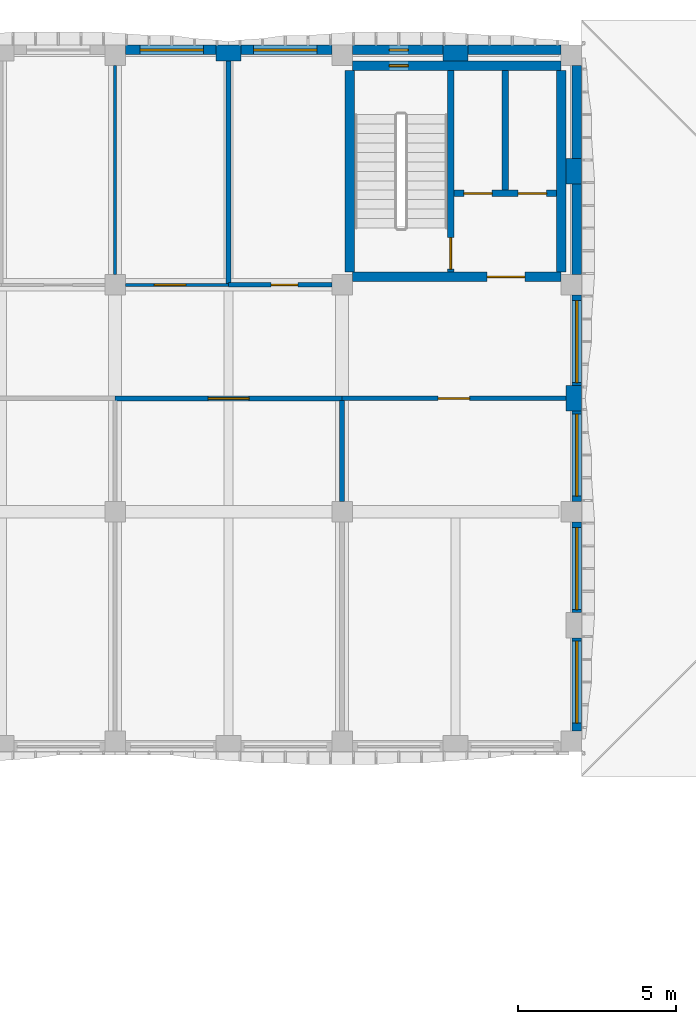
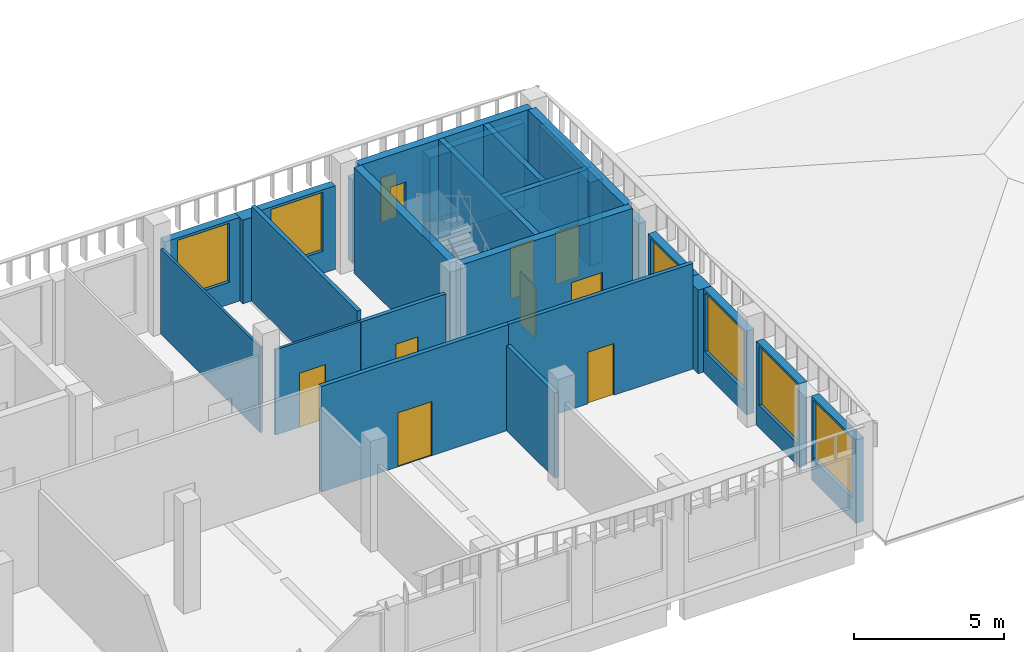
# One storey, part 28 of 54: 28 walls, 8 doors, 8 windows, 16 openings.
"""IFC4 building model written with IfcOpenShell, lengths in metres."""

import ifcopenshell
import ifcopenshell.guid

model = None  # the IFC model being written
_history = None  # IfcOwnerHistory: only IFC2X3 demands one
_inside = {}  # id of a spatial element -> (the spatial element, [elements in it])
_under = {}  # id of a project, library or spatial element -> (it, [spatial elements below it])
_declared = {}  # id of a project -> (the project, [libraries it declares])
_typed = {}  # id of a type object -> (the type object, [elements of that type])
_made_of = {}  # id of a material, layer set ... -> (it, [elements and type objects made of it])


def new_model(schema):
    """Start an empty IFC model of exactly this schema.

    Asked for "IFC4X3", IfcOpenShell would pick the latest addendum, in which some entities
    have other attributes; the version numbers below select the first issue.
    IFC2X3 requires an IfcOwnerHistory on every rooted entity: one is made here for all.
    """
    global model, _history
    if schema == "IFC4X3":
        model = ifcopenshell.file(schema_version=(4, 3, 0, 0))
    else:
        model = ifcopenshell.file(schema=schema)
    _inside.clear()
    _under.clear()
    _declared.clear()
    _typed.clear()
    _made_of.clear()
    _history = None
    if model.schema == "IFC2X3":
        org = make("IfcOrganization", Name="unknown")
        user = make(
            "IfcPersonAndOrganization",
            ThePerson=make("IfcPerson", FamilyName="unknown"),
            TheOrganization=org,
        )
        app = make(
            "IfcApplication",
            ApplicationDeveloper=org,
            Version="unknown",
            ApplicationFullName="unknown",
            ApplicationIdentifier="unknown",
        )
        _history = make(
            "IfcOwnerHistory",
            OwningUser=user,
            OwningApplication=app,
            ChangeAction="ADDED",
            CreationDate=0,
        )
    return model


def make(cls, **values):
    """One entity of the class cls with the attributes given. An attribute that is None is left unset."""
    return model.create_entity(
        cls, **{name: value for name, value in values.items() if value is not None}
    )


def rooted(cls, **values):
    """An entity with a GlobalId (a new one), such as an element, a storey or a relation."""
    return make(cls, GlobalId=ifcopenshell.guid.new(), OwnerHistory=_history, **values)


def si_unit(unit_type, name, prefix=None):
    """IfcSIUnit, for example si_unit("LENGTHUNIT", "METRE", prefix="MILLI")."""
    return make("IfcSIUnit", UnitType=unit_type, Prefix=prefix, Name=name)


def assignment(units):
    """IfcUnitAssignment: the units of a project."""
    return None if units is None else make("IfcUnitAssignment", Units=units)


def point(xyz):
    """IfcCartesianPoint."""
    return None if xyz is None else make("IfcCartesianPoint", Coordinates=xyz)


def direction(xyz):
    """IfcDirection."""
    return None if xyz is None else make("IfcDirection", DirectionRatios=xyz)


def frame(location, z_axis=None, x_axis=None):
    """IfcAxis2Placement3D, a coordinate frame: its origin and axes. An axis left out is left unset."""
    return make(
        "IfcAxis2Placement3D",
        Location=point(location),
        Axis=direction(z_axis),
        RefDirection=direction(x_axis),
    )


def frame_2d(location, x_axis=None):
    """IfcAxis2Placement2D, a coordinate frame in the plane: its origin and x axis."""
    return make(
        "IfcAxis2Placement2D", Location=point(location), RefDirection=direction(x_axis)
    )


def origin():
    """The frame at (0, 0, 0) with its axes left unset."""
    return frame((0.0, 0.0, 0.0))


def place(relative_to, where):
    """IfcLocalPlacement: puts the frame where relative to a parent placement (None: the world)."""
    return make(
        "IfcLocalPlacement", PlacementRelTo=relative_to, RelativePlacement=where
    )


def context(
    kind, dimensions, precision=None, world=None, true_north=None, identifier=None
):
    """IfcGeometricRepresentationContext, for example the 3D "Model" context."""
    return make(
        "IfcGeometricRepresentationContext",
        ContextIdentifier=identifier,
        ContextType=kind,
        CoordinateSpaceDimension=dimensions,
        Precision=precision,
        WorldCoordinateSystem=world,
        TrueNorth=true_north,
    )


def subcontext(parent, identifier, kind, view, scale=None):
    """IfcGeometricRepresentationSubContext, for example "Body" below "Model"."""
    return make(
        "IfcGeometricRepresentationSubContext",
        ContextIdentifier=identifier,
        ContextType=kind,
        ParentContext=parent,
        TargetScale=scale,
        TargetView=view,
    )


def project(units=None, contexts=None):
    """IfcProject with its units and contexts."""
    return rooted(
        "IfcProject",
        Name="project",
        RepresentationContexts=contexts,
        UnitsInContext=assignment(units),
    )


def spatial(cls, under=None, at=None, **own):
    """A site, building, storey or space (cls), placed at a placement, below another one or the project."""
    s = rooted(cls, ObjectPlacement=at, **own)
    if under is not None:
        _under.setdefault(under.id(), (under, []))[1].append(s)
    return s


def profile(cls, at=None, kind="AREA", **sizes):
    """A parametric profile (cls). Its sizes go by their IFC names, for example OverallWidth=200.0."""
    return make(cls, ProfileType=kind, Position=at, **sizes)


def rectangle(**sizes):
    """IfcRectangleProfileDef."""
    return profile("IfcRectangleProfileDef", **sizes)


def extrude(swept, where, along, depth):
    """IfcExtrudedAreaSolid: the profile swept, set in the frame where, extruded along a direction by depth."""
    return make(
        "IfcExtrudedAreaSolid",
        SweptArea=swept,
        Position=where,
        ExtrudedDirection=direction(along),
        Depth=depth,
    )


def shape(context_of_items, identifier, shape_type, items):
    """IfcShapeRepresentation: the items that make up one representation, for example the "Body"."""
    return make(
        "IfcShapeRepresentation",
        ContextOfItems=context_of_items,
        RepresentationIdentifier=identifier,
        RepresentationType=shape_type,
        Items=items,
    )


def material(Name=None, Category=None):
    """IfcMaterial."""
    return make("IfcMaterial", Name=Name, Category=Category)


def layer(
    of_material, thickness, ventilated=None, Name=None, Category=None, Priority=None
):
    """IfcMaterialLayer: one layer of a wall or slab, of a material (None: an air gap)."""
    return make(
        "IfcMaterialLayer",
        Material=of_material,
        LayerThickness=thickness,
        IsVentilated=ventilated,
        Name=Name,
        Category=Category,
        Priority=Priority,
    )


def layer_set(layers, Name=None):
    """IfcMaterialLayerSet."""
    return make("IfcMaterialLayerSet", MaterialLayers=layers, LayerSetName=Name)


def made_of(thing, what):
    """Note that an element or type object is made of a material, layer set ...; save() writes the relation."""
    if what is not None:
        _made_of.setdefault(what.id(), (what, []))[1].append(thing)
    return thing


def type_object(cls, material=None, **own):
    """A type object (cls), such as IfcWallType, which elements share."""
    return made_of(rooted(cls, **own), material)


def element(
    cls,
    number,
    at=None,
    inside=None,
    cuts=None,
    type_object=None,
    material=None,
    context=None,
    identifier="Body",
    shape_type=None,
    held_by="IfcProductDefinitionShape",
    body=None,
    shapes=None,
    **own,
):
    """One element of the class cls, such as IfcWall. Its Tag is "e" and its number.

    at: its placement. inside: the storey or other place that contains it. cuts: it is an
    opening in that element (IfcRelVoidsElement). A single representation is given by context,
    identifier, shape_type and body (its items); several are given by shapes. held_by: the class
    of the entity that holds the representations. save() writes the other relations.
    """
    e = rooted(cls, Tag="e%d" % number, ObjectPlacement=at, **own)
    if body is not None:
        shapes = [shape(context, identifier, shape_type, body)]
    if shapes is not None:
        e.Representation = make(held_by, Representations=shapes)
    if inside is not None:
        _inside.setdefault(inside.id(), (inside, []))[1].append(e)
    if cuts is not None:
        rooted(
            "IfcRelVoidsElement", RelatingBuildingElement=cuts, RelatedOpeningElement=e
        )
    if type_object is not None:
        _typed.setdefault(type_object.id(), (type_object, []))[1].append(e)
    return made_of(e, material)


def fill(opening, filler):
    """IfcRelFillsElement: the door or window that sits in an opening."""
    return rooted(
        "IfcRelFillsElement",
        RelatingOpeningElement=opening,
        RelatedBuildingElement=filler,
    )


def aggregate(whole, parts):
    """IfcRelAggregates: a whole, such as a stair, and the parts it consists of."""
    return rooted("IfcRelAggregates", RelatingObject=whole, RelatedObjects=parts)


def save(model, path):
    """Write the relations noted so far, then the file.

    IfcRelAggregates (storeys below a building ...), IfcRelContainedInSpatialStructure (elements
    in a storey), IfcRelDefinesByType, IfcRelAssociatesMaterial and IfcRelDeclares: one each for
    every whole, place, type object, material and project.
    """
    for whole, parts in _under.values():
        aggregate(whole, parts)
    for where, things in _inside.values():
        rooted(
            "IfcRelContainedInSpatialStructure",
            RelatedElements=things,
            RelatingStructure=where,
        )
    for kind, things in _typed.values():
        rooted("IfcRelDefinesByType", RelatedObjects=things, RelatingType=kind)
    for what, things in _made_of.values():
        rooted("IfcRelAssociatesMaterial", RelatedObjects=things, RelatingMaterial=what)
    for by, libraries in _declared.values():
        rooted("IfcRelDeclares", RelatingContext=by, RelatedDefinitions=libraries)
    model.write(path)


model = new_model("IFC4")

# Units and contexts
model_context = context("Model", 3, precision=1e-05, world=origin(), true_north=direction((0.0, 1.0)))
body_context = subcontext(model_context, "Body", "Model", "MODEL_VIEW")
ifc_project = project(units=[si_unit("LENGTHUNIT", "METRE"), si_unit("AREAUNIT", "SQUARE_METRE"), si_unit("VOLUMEUNIT", "CUBIC_METRE"), si_unit("PLANEANGLEUNIT", "RADIAN"), si_unit("MASSUNIT", "GRAM", prefix="KILO")], contexts=[model_context])

# Site, building, storey
site_placement = place(None, origin())
site = spatial("IfcSite", under=ifc_project, at=site_placement, CompositionType="ELEMENT")
building_placement = place(site_placement, origin())
building = spatial("IfcBuilding", under=site, at=building_placement, Name="Ussher Court Research Institute", CompositionType="ELEMENT")
storey_placement = place(building_placement, frame((0.0, 0.0, 14.39990234375)))
storey = spatial("IfcBuildingStorey", under=building, at=storey_placement, Name="L03", CompositionType="ELEMENT", Elevation=14.39990234375)

# Wall, opening, window
ifc_material_1 = material(Name="Blockwork with cream render", Category="masonry")
ifc_layer_1 = layer(ifc_material_1, 0.300048828125)
ifc_layer_set_1 = layer_set([ifc_layer_1], Name="Blockwork with cream render")
wall_type_1 = type_object("IfcWallType", Name="External wall 300 cream render", PredefinedType="SOLIDWALL", material=ifc_layer_set_1)
wall_1_placement = place(storey_placement, frame((68.125, 90.64990234375, 0.0), z_axis=(0.0, 0.0, 1.0), x_axis=(1.0, 0.0, 0.0)))
wall_1 = element("IfcWall", 1, at=wall_1_placement, inside=storey, type_object=wall_type_1, Name="External wall EW1 L03", PredefinedType="SOLIDWALL", context=body_context, shape_type="SweptSolid", body=[
    extrude(rectangle(XDim=2.875, YDim=0.300048828125, at=frame_2d((1.4375, 0.0))), origin(), (0.0, 0.0, 1.0), 3.400146484375),
])
opening_1_placement = place(wall_1_placement, frame((0.47509765625, 0.0, 0.89990234375)))
opening_1 = element("IfcOpeningElement", 2, at=opening_1_placement, cuts=wall_1, Name="Opening W14", PredefinedType="OPENING", context=body_context, shape_type="SweptSolid", body=[
    extrude(rectangle(XDim=2.0, YDim=2.39990234375, at=frame_2d((1.0, 1.199951171875))), frame((0.0, 0.16015625, 0.0), z_axis=(0.0, -1.0, 0.0), x_axis=(1.0, 0.0, 0.0)), (0.0, 0.0, 1.0), 0.320068359375),
])
ifc_material_2 = material(Name="Bronze anodised aluminium with double glazing", Category="aluminium")
window_type_1 = type_object("IfcWindowType", Name="Seminar and write-up office window 2000x2400", PartitioningType="DOUBLE_PANEL_VERTICAL", PredefinedType="WINDOW", material=ifc_material_2)
window_1_placement = place(opening_1_placement, origin())
window_1 = element("IfcWindow", 3, at=window_1_placement, inside=storey, type_object=window_type_1, Name="Window W14 L03", OverallHeight=2.39990234375, OverallWidth=2.0, PartitioningType="SINGLE_PANEL", PredefinedType="WINDOW", context=body_context, shape_type="SweptSolid", body=[
    extrude(rectangle(XDim=2.0, YDim=2.39990234375, at=frame_2d((1.0, 1.199951171875))), frame((0.0, 0.030029296875, 0.0), z_axis=(0.0, -1.0, 0.0), x_axis=(1.0, 0.0, 0.0)), (0.0, 0.0, 1.0), 0.06005859375),
])
fill(opening_1, window_1)

wall_2_placement = place(storey_placement, frame((71.800048828125, 90.64990234375, 0.0), z_axis=(0.0, 0.0, 1.0), x_axis=(1.0, 0.0, 0.0)))
wall_2 = element("IfcWall", 4, at=wall_2_placement, inside=storey, type_object=wall_type_1, Name="External wall EW1 L03", PredefinedType="SOLIDWALL", context=body_context, shape_type="SweptSolid", body=[
    extrude(rectangle(XDim=2.875, YDim=0.300048828125, at=frame_2d((1.4375, 0.0))), origin(), (0.0, 0.0, 1.0), 3.400146484375),
])
opening_2_placement = place(wall_2_placement, frame((0.39990234375, 0.0, 0.89990234375)))
opening_2 = element("IfcOpeningElement", 5, at=opening_2_placement, cuts=wall_2, Name="Opening W14", PredefinedType="OPENING", context=body_context, shape_type="SweptSolid", body=[
    extrude(rectangle(XDim=2.0, YDim=2.39990234375, at=frame_2d((1.0, 1.199951171875))), frame((0.0, 0.16015625, 0.0), z_axis=(0.0, -1.0, 0.0), x_axis=(1.0, 0.0, 0.0)), (0.0, 0.0, 1.0), 0.320068359375),
])
window_2_placement = place(opening_2_placement, origin())
window_2 = element("IfcWindow", 6, at=window_2_placement, inside=storey, type_object=window_type_1, Name="Window W14 L03", OverallHeight=2.39990234375, OverallWidth=2.0, PartitioningType="SINGLE_PANEL", PredefinedType="WINDOW", context=body_context, shape_type="SweptSolid", body=[
    extrude(rectangle(XDim=2.0, YDim=2.39990234375, at=frame_2d((1.0, 1.199951171875))), frame((0.0, 0.030029296875, 0.0), z_axis=(0.0, -1.0, 0.0), x_axis=(1.0, 0.0, 0.0)), (0.0, 0.0, 1.0), 0.06005859375),
])
fill(opening_2, window_2)

wall_3_placement = place(storey_placement, frame((82.449951171875, 82.875, 0.0), z_axis=(0.0, 0.0, 1.0), x_axis=(0.0, -1.0, 0.0)))
wall_3 = element("IfcWall", 7, at=wall_3_placement, inside=storey, type_object=wall_type_1, Name="External wall EW1 L03", PredefinedType="SOLIDWALL", context=body_context, shape_type="SweptSolid", body=[
    extrude(rectangle(XDim=2.875, YDim=0.300048828125, at=frame_2d((1.4375, 0.0))), origin(), (0.0, 0.0, 1.0), 3.400146484375),
])
opening_3_placement = place(wall_3_placement, frame((0.175048828125, 0.0, 0.89990234375)))
opening_3 = element("IfcOpeningElement", 8, at=opening_3_placement, cuts=wall_3, Name="Opening W01", PredefinedType="OPENING", context=body_context, shape_type="SweptSolid", body=[
    extrude(rectangle(XDim=2.60009765625, YDim=2.39990234375, at=frame_2d((1.300048828125, 1.199951171875))), frame((0.0, 0.16015625, 0.0), z_axis=(0.0, -1.0, 0.0), x_axis=(1.0, 0.0, 0.0)), (0.0, 0.0, 1.0), 0.320068359375),
])
ifc_material_3 = material(Name="Bronze anodised aluminium with double glazing", Category="aluminium")
window_type_2 = type_object("IfcWindowType", Name="Laboratory bay window 2600x2400", PartitioningType="DOUBLE_PANEL_VERTICAL", PredefinedType="WINDOW", material=ifc_material_3)
window_3_placement = place(opening_3_placement, origin())
window_3 = element("IfcWindow", 9, at=window_3_placement, inside=storey, type_object=window_type_2, Name="Window W01 L03", OverallHeight=2.39990234375, OverallWidth=2.60009765625, PartitioningType="SINGLE_PANEL", PredefinedType="WINDOW", context=body_context, shape_type="SweptSolid", body=[
    extrude(rectangle(XDim=2.60009765625, YDim=2.39990234375, at=frame_2d((1.300048828125, 1.199951171875))), frame((0.0, 0.030029296875, 0.0), z_axis=(0.0, -1.0, 0.0), x_axis=(1.0, 0.0, 0.0)), (0.0, 0.0, 1.0), 0.06005859375),
])
fill(opening_3, window_3)

wall_4_placement = place(storey_placement, frame((82.449951171875, 79.199951171875, 0.0), z_axis=(0.0, 0.0, 1.0), x_axis=(0.0, -1.0, 0.0)))
wall_4 = element("IfcWall", 10, at=wall_4_placement, inside=storey, type_object=wall_type_1, Name="External wall EW1 L03", PredefinedType="SOLIDWALL", context=body_context, shape_type="SweptSolid", body=[
    extrude(rectangle(XDim=2.875, YDim=0.300048828125, at=frame_2d((1.4375, 0.0))), origin(), (0.0, 0.0, 1.0), 3.400146484375),
])
opening_4_placement = place(wall_4_placement, frame((0.10009765625, 0.0, 0.89990234375)))
opening_4 = element("IfcOpeningElement", 11, at=opening_4_placement, cuts=wall_4, Name="Opening W01", PredefinedType="OPENING", context=body_context, shape_type="SweptSolid", body=[
    extrude(rectangle(XDim=2.60009765625, YDim=2.39990234375, at=frame_2d((1.300048828125, 1.199951171875))), frame((0.0, 0.16015625, 0.0), z_axis=(0.0, -1.0, 0.0), x_axis=(1.0, 0.0, 0.0)), (0.0, 0.0, 1.0), 0.320068359375),
])
window_4_placement = place(opening_4_placement, origin())
window_4 = element("IfcWindow", 12, at=window_4_placement, inside=storey, type_object=window_type_2, Name="Window W01 L03", OverallHeight=2.39990234375, OverallWidth=2.60009765625, PartitioningType="SINGLE_PANEL", PredefinedType="WINDOW", context=body_context, shape_type="SweptSolid", body=[
    extrude(rectangle(XDim=2.60009765625, YDim=2.39990234375, at=frame_2d((1.300048828125, 1.199951171875))), frame((0.0, 0.030029296875, 0.0), z_axis=(0.0, -1.0, 0.0), x_axis=(1.0, 0.0, 0.0)), (0.0, 0.0, 1.0), 0.06005859375),
])
fill(opening_4, window_4)

wall_5_placement = place(storey_placement, frame((82.449951171875, 75.675048828125, 0.0), z_axis=(0.0, 0.0, 1.0), x_axis=(0.0, -1.0, 0.0)))
wall_5 = element("IfcWall", 13, at=wall_5_placement, inside=storey, type_object=wall_type_1, Name="External wall EW1 L03", PredefinedType="SOLIDWALL", context=body_context, shape_type="SweptSolid", body=[
    extrude(rectangle(XDim=2.875, YDim=0.300048828125, at=frame_2d((1.4375, 0.0))), origin(), (0.0, 0.0, 1.0), 3.400146484375),
])
opening_5_placement = place(wall_5_placement, frame((0.175048828125, 0.0, 0.89990234375)))
opening_5 = element("IfcOpeningElement", 14, at=opening_5_placement, cuts=wall_5, Name="Opening W01", PredefinedType="OPENING", context=body_context, shape_type="SweptSolid", body=[
    extrude(rectangle(XDim=2.60009765625, YDim=2.39990234375, at=frame_2d((1.300048828125, 1.199951171875))), frame((0.0, 0.16015625, 0.0), z_axis=(0.0, -1.0, 0.0), x_axis=(1.0, 0.0, 0.0)), (0.0, 0.0, 1.0), 0.320068359375),
])
window_5_placement = place(opening_5_placement, origin())
window_5 = element("IfcWindow", 15, at=window_5_placement, inside=storey, type_object=window_type_2, Name="Window W01 L03", OverallHeight=2.39990234375, OverallWidth=2.60009765625, PartitioningType="SINGLE_PANEL", PredefinedType="WINDOW", context=body_context, shape_type="SweptSolid", body=[
    extrude(rectangle(XDim=2.60009765625, YDim=2.39990234375, at=frame_2d((1.300048828125, 1.199951171875))), frame((0.0, 0.030029296875, 0.0), z_axis=(0.0, -1.0, 0.0), x_axis=(1.0, 0.0, 0.0)), (0.0, 0.0, 1.0), 0.06005859375),
])
fill(opening_5, window_5)

wall_6_placement = place(storey_placement, frame((82.449951171875, 72.0, 0.0), z_axis=(0.0, 0.0, 1.0), x_axis=(0.0, -1.0, 0.0)))
wall_6 = element("IfcWall", 16, at=wall_6_placement, inside=storey, type_object=wall_type_1, Name="External wall EW1 L03", PredefinedType="SOLIDWALL", context=body_context, shape_type="SweptSolid", body=[
    extrude(rectangle(XDim=2.949951171875, YDim=0.300048828125, at=frame_2d((1.47509765625, 0.0))), origin(), (0.0, 0.0, 1.0), 3.400146484375),
])
opening_6_placement = place(wall_6_placement, frame((0.10009765625, 0.0, 0.89990234375)))
opening_6 = element("IfcOpeningElement", 17, at=opening_6_placement, cuts=wall_6, Name="Opening W01", PredefinedType="OPENING", context=body_context, shape_type="SweptSolid", body=[
    extrude(rectangle(XDim=2.60009765625, YDim=2.39990234375, at=frame_2d((1.300048828125, 1.199951171875))), frame((0.0, 0.16015625, 0.0), z_axis=(0.0, -1.0, 0.0), x_axis=(1.0, 0.0, 0.0)), (0.0, 0.0, 1.0), 0.320068359375),
])
window_6_placement = place(opening_6_placement, origin())
window_6 = element("IfcWindow", 18, at=window_6_placement, inside=storey, type_object=window_type_2, Name="Window W01 L03", OverallHeight=2.39990234375, OverallWidth=2.60009765625, PartitioningType="SINGLE_PANEL", PredefinedType="WINDOW", context=body_context, shape_type="SweptSolid", body=[
    extrude(rectangle(XDim=2.60009765625, YDim=2.39990234375, at=frame_2d((1.300048828125, 1.199951171875))), frame((0.0, 0.030029296875, 0.0), z_axis=(0.0, -1.0, 0.0), x_axis=(1.0, 0.0, 0.0)), (0.0, 0.0, 1.0), 0.06005859375),
])
fill(opening_6, window_6)

ifc_material_4 = material(Name="Limestone facing on blockwork", Category="masonry")
ifc_layer_2 = layer(ifc_material_4, 0.300048828125)
ifc_layer_set_2 = layer_set([ifc_layer_2], Name="Limestone facing on blockwork")
wall_type_2 = type_object("IfcWallType", Name="External wall 300 stair enclosure", PredefinedType="SOLIDWALL", material=ifc_layer_set_2)
wall_7_placement = place(storey_placement, frame((75.324951171875, 90.64990234375, 0.0), z_axis=(0.0, 0.0, 1.0), x_axis=(1.0, 0.0, 0.0)))
wall_7 = element("IfcWall", 19, at=wall_7_placement, inside=storey, type_object=wall_type_2, Name="External wall EW5 L03", PredefinedType="SOLIDWALL", context=body_context, shape_type="SweptSolid", body=[
    extrude(rectangle(XDim=2.875, YDim=0.300048828125, at=frame_2d((1.4375, 0.0))), origin(), (0.0, 0.0, 1.0), 3.400146484375),
])
opening_7_placement = place(wall_7_placement, frame((1.175048828125, 0.0, 1.199951171875)))
opening_7 = element("IfcOpeningElement", 20, at=opening_7_placement, cuts=wall_7, Name="Opening W25", PredefinedType="OPENING", context=body_context, shape_type="SweptSolid", body=[
    extrude(rectangle(XDim=0.60009765625, YDim=1.800048828125, at=frame_2d((0.300048828125, 0.89990234375))), frame((0.0, 0.16015625, 0.0), z_axis=(0.0, -1.0, 0.0), x_axis=(1.0, 0.0, 0.0)), (0.0, 0.0, 1.0), 0.320068359375),
])
ifc_material_5 = material(Name="Bronze anodised aluminium with double glazing", Category="aluminium")
window_type_3 = type_object("IfcWindowType", Name="Stair light slot window 600x1800 fire-resisting glazing", PartitioningType="SINGLE_PANEL", PredefinedType="WINDOW", material=ifc_material_5)
window_7_placement = place(opening_7_placement, origin())
window_7 = element("IfcWindow", 21, at=window_7_placement, inside=storey, type_object=window_type_3, Name="Window W25 L03", OverallHeight=1.800048828125, OverallWidth=0.60009765625, PartitioningType="SINGLE_PANEL", PredefinedType="WINDOW", context=body_context, shape_type="SweptSolid", body=[
    extrude(rectangle(XDim=0.60009765625, YDim=1.800048828125, at=frame_2d((0.300048828125, 0.89990234375))), frame((0.0, 0.030029296875, 0.0), z_axis=(0.0, -1.0, 0.0), x_axis=(1.0, 0.0, 0.0)), (0.0, 0.0, 1.0), 0.06005859375),
])
fill(opening_7, window_7)

# Walls
for number, where, z_axis, x_axis, name in (
    (22, (79.0, 90.64990234375, 0.0), (0.0, 0.0, 1.0), (1.0, 0.0, 0.0), "External wall EW5 L03"),
    (23, (82.449951171875, 90.14990234375, 0.0), (0.0, 0.0, 1.0), (0.0, -1.0, 0.0), "External wall EW5 L03"),
):
    element("IfcWall", number, at=place(storey_placement, frame(where, z_axis=z_axis, x_axis=x_axis)), inside=storey, type_object=wall_type_2, Name=name, PredefinedType="SOLIDWALL", context=body_context, shape_type="SweptSolid", body=[
        extrude(rectangle(XDim=2.949951171875, YDim=0.300048828125, at=frame_2d((1.47509765625, 0.0))), origin(), (0.0, 0.0, 1.0), 3.400146484375),
    ])
wall_8_placement = place(storey_placement, frame((82.449951171875, 86.39990234375, 0.0), z_axis=(0.0, 0.0, 1.0), x_axis=(0.0, -1.0, 0.0)))
element("IfcWall", 24, at=wall_8_placement, inside=storey, type_object=wall_type_2, Name="External wall EW5 L03", PredefinedType="SOLIDWALL", context=body_context, shape_type="SweptSolid", body=[
    extrude(rectangle(XDim=2.875, YDim=0.300048828125, at=frame_2d((1.4375, 0.0))), origin(), (0.0, 0.0, 1.0), 3.400146484375),
])

# Wall, opening, door
ifc_material_6 = material(Name="Plastered blockwork", Category="masonry")
ifc_layer_3 = layer(ifc_material_6, 0.14990234375)
ifc_layer_set_3 = layer_set([ifc_layer_3], Name="Plastered blockwork")
wall_type_3 = type_object("IfcWallType", Name="Fire partition blockwork 150 EI 60", PredefinedType="PARTITIONING", material=ifc_layer_set_3)
wall_9_placement = place(storey_placement, frame((82.10009765625, 79.60009765625, 0.0), z_axis=(0.0, 0.0, 1.0), x_axis=(-1.0, 0.0, 0.0)))
wall_9 = element("IfcWall", 25, at=wall_9_placement, inside=storey, type_object=wall_type_3, Name="Fire partition", PredefinedType="PARTITIONING", context=body_context, shape_type="SweptSolid", body=[
    extrude(rectangle(XDim=7.10009765625, YDim=0.14990234375, at=frame_2d((3.550048828125, 0.0))), origin(), (0.0, 0.0, 1.0), 4.300048828125),
])
opening_8_placement = place(wall_9_placement, frame((3.050048828125, 0.0, 0.0)))
opening_8 = element("IfcOpeningElement", 26, at=opening_8_placement, cuts=wall_9, Name="Opening D03040", PredefinedType="OPENING", context=body_context, shape_type="SweptSolid", body=[
    extrude(rectangle(XDim=1.0, YDim=2.10009765625, at=frame_2d((0.5, 1.050048828125))), frame((0.0, 0.0849609375, 0.0), z_axis=(0.0, -1.0, 0.0), x_axis=(1.0, 0.0, 0.0)), (0.0, 0.0, 1.0), 0.169921875),
])
ifc_material_7 = material(Name="Painted steel faced fire door", Category="steel")
door_type_1 = type_object("IfcDoorType", Name="Store door 1000x2100 FD60", OperationType="NOTDEFINED", PredefinedType="DOOR", material=ifc_material_7)
door_1_placement = place(opening_8_placement, origin())
door_1 = element("IfcDoor", 27, at=door_1_placement, inside=storey, type_object=door_type_1, Name="Door D03040", OperationType="SINGLE_SWING_RIGHT", OverallHeight=2.10009765625, OverallWidth=1.0, PredefinedType="DOOR", context=body_context, shape_type="SweptSolid", body=[
    extrude(rectangle(XDim=1.0, YDim=2.10009765625, at=frame_2d((0.5, 1.050048828125))), frame((0.0, 0.02490234375, 0.0), z_axis=(0.0, -1.0, 0.0), x_axis=(1.0, 0.0, 0.0)), (0.0, 0.0, 1.0), 0.050048828125),
])
fill(opening_8, door_1)

wall_10_placement = place(storey_placement, frame((71.39990234375, 83.199951171875, 0.0), z_axis=(0.0, 0.0, 1.0), x_axis=(1.0, 0.0, 0.0)))
wall_10 = element("IfcWall", 28, at=wall_10_placement, inside=storey, type_object=wall_type_3, Name="Fire partition", PredefinedType="PARTITIONING", context=body_context, shape_type="SweptSolid", body=[
    extrude(rectangle(XDim=3.275146484375, YDim=0.14990234375, at=frame_2d((1.6376953125, 0.0))), origin(), (0.0, 0.0, 1.0), 3.47021484375),
])
opening_9_placement = place(wall_10_placement, frame((1.35009765625, 0.0, 0.0)))
opening_9 = element("IfcOpeningElement", 29, at=opening_9_placement, cuts=wall_10, Name="Opening D03036", PredefinedType="OPENING", context=body_context, shape_type="SweptSolid", body=[
    extrude(rectangle(XDim=0.85009765625, YDim=2.10009765625, at=frame_2d((0.425048828125, 1.050048828125))), frame((0.0, 0.0849609375, 0.0), z_axis=(0.0, -1.0, 0.0), x_axis=(1.0, 0.0, 0.0)), (0.0, 0.0, 1.0), 0.169921875),
])
ifc_material_8 = material(Name="Painted steel faced fire door", Category="steel")
door_type_2 = type_object("IfcDoorType", Name="Service store door 850x2100 FD60", OperationType="NOTDEFINED", PredefinedType="DOOR", material=ifc_material_8)
door_2_placement = place(opening_9_placement, origin())
door_2 = element("IfcDoor", 30, at=door_2_placement, inside=storey, type_object=door_type_2, Name="Door D03036", OperationType="SINGLE_SWING_RIGHT", OverallHeight=2.10009765625, OverallWidth=0.85009765625, PredefinedType="DOOR", context=body_context, shape_type="SweptSolid", body=[
    extrude(rectangle(XDim=0.85009765625, YDim=2.10009765625, at=frame_2d((0.425048828125, 1.050048828125))), frame((0.0, 0.02490234375, 0.0), z_axis=(0.0, -1.0, 0.0), x_axis=(1.0, 0.0, 0.0)), (0.0, 0.0, 1.0), 0.050048828125),
])
fill(opening_9, door_2)

# Walls
wall_11_placement = place(storey_placement, frame((71.39990234375, 83.2451171875, 0.0), z_axis=(0.0, 0.0, 1.0), x_axis=(0.0, 1.0, 0.0)))
element("IfcWall", 31, at=wall_11_placement, inside=storey, type_object=wall_type_3, Name="Fire partition", PredefinedType="PARTITIONING", context=body_context, shape_type="SweptSolid", body=[
    extrude(rectangle(XDim=7.054931640625, YDim=0.14990234375, at=frame_2d((3.52734375, 0.0))), origin(), (0.0, 0.0, 1.0), 3.8701171875),
])
wall_12_placement = place(storey_placement, frame((75.0, 76.324951171875, 0.0), z_axis=(0.0, 0.0, 1.0), x_axis=(0.0, 1.0, 0.0)))
element("IfcWall", 32, at=wall_12_placement, inside=storey, type_object=wall_type_3, Name="Fire partition", PredefinedType="PARTITIONING", context=body_context, shape_type="SweptSolid", body=[
    extrude(rectangle(XDim=3.199951171875, YDim=0.14990234375, at=frame_2d((1.60009765625, 0.0))), origin(), (0.0, 0.0, 1.0), 3.47021484375),
])

# Wall, opening, door
ifc_material_9 = material(Name="Dense concrete blockwork", Category="masonry")
ifc_layer_4 = layer(ifc_material_9, 0.159912109375)
ifc_layer_set_4 = layer_set([ifc_layer_4], Name="Dense concrete blockwork")
wall_type_4 = type_object("IfcWallType", Name="Instrument room dense block partition 160", PredefinedType="PARTITIONING", material=ifc_layer_set_4)
wall_13_placement = place(storey_placement, frame((75.0, 79.60009765625, 0.0), z_axis=(0.0, 0.0, 1.0), x_axis=(-1.0, 0.0, 0.0)))
wall_13 = element("IfcWall", 33, at=wall_13_placement, inside=storey, type_object=wall_type_4, Name="Partition", PredefinedType="PARTITIONING", context=body_context, shape_type="SweptSolid", body=[
    extrude(rectangle(XDim=7.199951171875, YDim=0.159912109375, at=frame_2d((3.60009765625, 0.0))), origin(), (0.0, 0.0, 1.0), 4.300048828125),
])
opening_10_placement = place(wall_13_placement, frame((2.949951171875, 0.0, 0.0)))
opening_10 = element("IfcOpeningElement", 34, at=opening_10_placement, cuts=wall_13, Name="Opening D03034", PredefinedType="OPENING", context=body_context, shape_type="SweptSolid", body=[
    extrude(rectangle(XDim=1.300048828125, YDim=2.199951171875, at=frame_2d((0.64990234375, 1.10009765625))), frame((0.0, 0.08984375, 0.0), z_axis=(0.0, -1.0, 0.0), x_axis=(1.0, 0.0, 0.0)), (0.0, 0.0, 1.0), 0.179931640625),
])
ifc_material_10 = material(Name="Veneered timber door", Category="wood")
door_type_3 = type_object("IfcDoorType", Name="Instrument room door 1300x2200", OperationType="NOTDEFINED", PredefinedType="DOOR", material=ifc_material_10)
door_3_placement = place(opening_10_placement, origin())
door_3 = element("IfcDoor", 35, at=door_3_placement, inside=storey, type_object=door_type_3, Name="Door D03034", OperationType="SINGLE_SWING_LEFT", OverallHeight=2.199951171875, OverallWidth=1.300048828125, PredefinedType="DOOR", context=body_context, shape_type="SweptSolid", body=[
    extrude(rectangle(XDim=1.300048828125, YDim=2.199951171875, at=frame_2d((0.64990234375, 1.10009765625))), frame((0.0, 0.02490234375, 0.0), z_axis=(0.0, -1.0, 0.0), x_axis=(1.0, 0.0, 0.0)), (0.0, 0.0, 1.0), 0.050048828125),
])
fill(opening_10, door_3)

# Walls
ifc_material_11 = material(Name="Blockwork with cream render", Category="masonry")
ifc_layer_5 = layer(ifc_material_11, 0.5)
ifc_layer_set_5 = layer_set([ifc_layer_5], Name="Blockwork with cream render")
wall_type_5 = type_object("IfcWallType", Name="Pier 800x500 cream render", PredefinedType="SOLIDWALL", material=ifc_layer_set_5)
for number, where, z_axis, x_axis, name in (
    (36, (71.0, 90.550048828125, 0.0), (0.0, 0.0, 1.0), (1.0, 0.0, 0.0), "Pier PR1 L03"),
    (37, (78.199951171875, 90.550048828125, 0.0), (0.0, 0.0, 1.0), (1.0, 0.0, 0.0), "Pier PR1 L03"),
    (38, (82.35009765625, 87.199951171875, 0.0), (0.0, 0.0, 1.0), (0.0, -1.0, 0.0), "Pier PR1 L03"),
    (39, (82.35009765625, 80.0, 0.0), (0.0, 0.0, 1.0), (0.0, -1.0, 0.0), "Pier PR1 L03"),
):
    element("IfcWall", number, at=place(storey_placement, frame(where, z_axis=z_axis, x_axis=x_axis)), inside=storey, type_object=wall_type_5, Name=name, PredefinedType="SOLIDWALL", context=body_context, shape_type="SweptSolid", body=[
        extrude(rectangle(XDim=0.800048828125, YDim=0.5, at=frame_2d((0.39990234375, 0.0))), origin(), (0.0, 0.0, 1.0), 3.400146484375),
    ])

# Wall, opening, door
ifc_material_12 = material(Name="Concrete C35/45", Category="concrete")
ifc_layer_6 = layer(ifc_material_12, 0.199951171875)
ifc_layer_set_6 = layer_set([ifc_layer_6], Name="Concrete C35/45")
wall_type_6 = type_object("IfcWallType", Name="RC core wall 200", PredefinedType="SHEAR", material=ifc_layer_set_6)
wall_14_placement = place(storey_placement, frame((78.449951171875, 83.60009765625, 0.0), z_axis=(0.0, 0.0, 1.0), x_axis=(0.0, 1.0, 0.0)))
wall_14 = element("IfcWall", 40, at=wall_14_placement, inside=storey, type_object=wall_type_6, Name="Core wall D3", PredefinedType="SHEAR", context=body_context, shape_type="SweptSolid", body=[
    extrude(rectangle(XDim=6.39990234375, YDim=0.199951171875, at=frame_2d((3.199951171875, 0.0))), origin(), (0.0, 0.0, 1.0), 4.300048828125),
])
opening_11_placement = place(wall_14_placement, frame((0.10009765625, 0.0, 0.0)))
opening_11 = element("IfcOpeningElement", 41, at=opening_11_placement, cuts=wall_14, Name="Opening D03039", PredefinedType="OPENING", context=body_context, shape_type="SweptSolid", body=[
    extrude(rectangle(XDim=1.0, YDim=2.10009765625, at=frame_2d((0.5, 1.050048828125))), frame((0.0, 0.10986328125, 0.0), z_axis=(0.0, -1.0, 0.0), x_axis=(1.0, 0.0, 0.0)), (0.0, 0.0, 1.0), 0.219970703125),
])
ifc_material_13 = material(Name="Painted steel faced fire door", Category="steel")
door_type_4 = type_object("IfcDoorType", Name="Fire door 1000x2100 FD60", OperationType="NOTDEFINED", PredefinedType="DOOR", material=ifc_material_13)
door_4_placement = place(opening_11_placement, origin())
door_4 = element("IfcDoor", 42, at=door_4_placement, inside=storey, type_object=door_type_4, Name="Door D03039", OperationType="SINGLE_SWING_LEFT", OverallHeight=2.10009765625, OverallWidth=1.0, PredefinedType="DOOR", context=body_context, shape_type="SweptSolid", body=[
    extrude(rectangle(XDim=1.0, YDim=2.10009765625, at=frame_2d((0.5, 1.050048828125))), frame((0.0, 0.02490234375, 0.0), z_axis=(0.0, -1.0, 0.0), x_axis=(1.0, 0.0, 0.0)), (0.0, 0.0, 1.0), 0.050048828125),
])
fill(opening_11, door_4)

# Wall, openings, doors
wall_15_placement = place(storey_placement, frame((81.800048828125, 86.10009765625, 0.0), z_axis=(0.0, 0.0, 1.0), x_axis=(-1.0, 0.0, 0.0)))
wall_15 = element("IfcWall", 43, at=wall_15_placement, inside=storey, type_object=wall_type_6, Name="Core wall D3", PredefinedType="SHEAR", context=body_context, shape_type="SweptSolid", body=[
    extrude(rectangle(XDim=3.25, YDim=0.199951171875, at=frame_2d((1.625, 0.0))), origin(), (0.0, 0.0, 1.0), 4.300048828125),
])
opening_12_placement = place(wall_15_placement, frame((2.03759765625, 0.0, 0.0)))
opening_12 = element("IfcOpeningElement", 44, at=opening_12_placement, cuts=wall_15, Name="Opening D03041", PredefinedType="OPENING", context=body_context, shape_type="SweptSolid", body=[
    extrude(rectangle(XDim=0.89990234375, YDim=2.10009765625, at=frame_2d((0.449951171875, 1.050048828125))), frame((0.0, 0.10986328125, 0.0), z_axis=(0.0, -1.0, 0.0), x_axis=(1.0, 0.0, 0.0)), (0.0, 0.0, 1.0), 0.219970703125),
])
opening_13_placement = place(wall_15_placement, frame((0.3125, 0.0, 0.0)))
opening_13 = element("IfcOpeningElement", 45, at=opening_13_placement, cuts=wall_15, Name="Opening D03044", PredefinedType="OPENING", context=body_context, shape_type="SweptSolid", body=[
    extrude(rectangle(XDim=0.89990234375, YDim=2.10009765625, at=frame_2d((0.449951171875, 1.050048828125))), frame((0.0, 0.10986328125, 0.0), z_axis=(0.0, -1.0, 0.0), x_axis=(1.0, 0.0, 0.0)), (0.0, 0.0, 1.0), 0.219970703125),
])
ifc_material_14 = material(Name="Painted steel faced fire door", Category="steel")
door_type_5 = type_object("IfcDoorType", Name="Fire door 900x2100 FD60", OperationType="NOTDEFINED", PredefinedType="DOOR", material=ifc_material_14)
door_5_placement = place(opening_12_placement, origin())
door_5 = element("IfcDoor", 46, at=door_5_placement, inside=storey, type_object=door_type_5, Name="Door D03041", OperationType="SINGLE_SWING_RIGHT", OverallHeight=2.10009765625, OverallWidth=0.89990234375, PredefinedType="DOOR", context=body_context, shape_type="SweptSolid", body=[
    extrude(rectangle(XDim=0.89990234375, YDim=2.10009765625, at=frame_2d((0.449951171875, 1.050048828125))), frame((0.0, 0.02490234375, 0.0), z_axis=(0.0, -1.0, 0.0), x_axis=(1.0, 0.0, 0.0)), (0.0, 0.0, 1.0), 0.050048828125),
])
fill(opening_12, door_5)
door_6_placement = place(opening_13_placement, origin())
door_6 = element("IfcDoor", 47, at=door_6_placement, inside=storey, type_object=door_type_5, Name="Door D03044", OperationType="SINGLE_SWING_LEFT", OverallHeight=2.10009765625, OverallWidth=0.89990234375, PredefinedType="DOOR", context=body_context, shape_type="SweptSolid", body=[
    extrude(rectangle(XDim=0.89990234375, YDim=2.10009765625, at=frame_2d((0.449951171875, 1.050048828125))), frame((0.0, 0.02490234375, 0.0), z_axis=(0.0, -1.0, 0.0), x_axis=(1.0, 0.0, 0.0)), (0.0, 0.0, 1.0), 0.050048828125),
])
fill(opening_13, door_6)

# Wall
wall_16_placement = place(storey_placement, frame((80.175048828125, 86.199951171875, 0.0), z_axis=(0.0, 0.0, 1.0), x_axis=(0.0, 1.0, 0.0)))
element("IfcWall", 48, at=wall_16_placement, inside=storey, type_object=wall_type_6, Name="Core wall D3", PredefinedType="SHEAR", context=body_context, shape_type="SweptSolid", body=[
    extrude(rectangle(XDim=3.800048828125, YDim=0.199951171875, at=frame_2d((1.89990234375, 0.0))), origin(), (0.0, 0.0, 1.0), 4.300048828125),
])

# Wall, opening, door
ifc_material_15 = material(Name="Concrete C35/45", Category="concrete")
ifc_layer_7 = layer(ifc_material_15, 0.300048828125)
ifc_layer_set_7 = layer_set([ifc_layer_7], Name="Concrete C35/45")
wall_type_7 = type_object("IfcWallType", Name="RC core wall 300", PredefinedType="SHEAR", material=ifc_layer_set_7)
wall_17_placement = place(storey_placement, frame((75.324951171875, 83.449951171875, 0.0), z_axis=(0.0, 0.0, 1.0), x_axis=(1.0, 0.0, 0.0)))
wall_17 = element("IfcWall", 49, at=wall_17_placement, inside=storey, type_object=wall_type_7, Name="Core wall D3", PredefinedType="SHEAR", context=body_context, shape_type="SweptSolid", body=[
    extrude(rectangle(XDim=6.625, YDim=0.300048828125, at=frame_2d((3.3125, 0.0))), origin(), (0.0, 0.0, 1.0), 4.300048828125),
])
opening_14_placement = place(wall_17_placement, frame((4.27490234375, 0.0, 0.0)))
opening_14 = element("IfcOpeningElement", 50, at=opening_14_placement, cuts=wall_17, Name="Opening D03043", PredefinedType="OPENING", context=body_context, shape_type="SweptSolid", body=[
    extrude(rectangle(XDim=1.199951171875, YDim=2.10009765625, at=frame_2d((0.60009765625, 1.050048828125))), frame((0.0, 0.16015625, 0.0), z_axis=(0.0, -1.0, 0.0), x_axis=(1.0, 0.0, 0.0)), (0.0, 0.0, 1.0), 0.320068359375),
])
ifc_material_16 = material(Name="Painted steel faced fire door", Category="steel")
door_type_6 = type_object("IfcDoorType", Name="Fire door 1200x2100 FD60", OperationType="NOTDEFINED", PredefinedType="DOOR", material=ifc_material_16)
door_7_placement = place(opening_14_placement, origin())
door_7 = element("IfcDoor", 51, at=door_7_placement, inside=storey, type_object=door_type_6, Name="Door D03043", OperationType="SINGLE_SWING_RIGHT", OverallHeight=2.10009765625, OverallWidth=1.199951171875, PredefinedType="DOOR", context=body_context, shape_type="SweptSolid", body=[
    extrude(rectangle(XDim=1.199951171875, YDim=2.10009765625, at=frame_2d((0.60009765625, 1.050048828125))), frame((0.0, 0.02490234375, 0.0), z_axis=(0.0, -1.0, 0.0), x_axis=(1.0, 0.0, 0.0)), (0.0, 0.0, 1.0), 0.050048828125),
])
fill(opening_14, door_7)

# Wall, opening, window
wall_18_placement = place(storey_placement, frame((75.324951171875, 90.14990234375, 0.0), z_axis=(0.0, 0.0, 1.0), x_axis=(1.0, 0.0, 0.0)))
wall_18 = element("IfcWall", 52, at=wall_18_placement, inside=storey, type_object=wall_type_7, Name="Core wall D3", PredefinedType="SHEAR", context=body_context, shape_type="SweptSolid", body=[
    extrude(rectangle(XDim=6.625, YDim=0.300048828125, at=frame_2d((3.3125, 0.0))), origin(), (0.0, 0.0, 1.0), 4.300048828125),
])
opening_15_placement = place(wall_18_placement, frame((1.175048828125, 0.0, 1.199951171875)))
opening_15 = element("IfcOpeningElement", 53, at=opening_15_placement, cuts=wall_18, Name="Opening W25", PredefinedType="OPENING", context=body_context, shape_type="SweptSolid", body=[
    extrude(rectangle(XDim=0.60009765625, YDim=1.800048828125, at=frame_2d((0.300048828125, 0.89990234375))), frame((0.0, 0.16015625, 0.0), z_axis=(0.0, -1.0, 0.0), x_axis=(1.0, 0.0, 0.0)), (0.0, 0.0, 1.0), 0.320068359375),
])
window_8_placement = place(opening_15_placement, origin())
window_8 = element("IfcWindow", 54, at=window_8_placement, inside=storey, type_object=window_type_3, Name="Window stair light D3 L03", OverallHeight=1.800048828125, OverallWidth=0.60009765625, PartitioningType="SINGLE_PANEL", PredefinedType="WINDOW", context=body_context, shape_type="SweptSolid", body=[
    extrude(rectangle(XDim=0.60009765625, YDim=1.800048828125, at=frame_2d((0.300048828125, 0.89990234375))), frame((0.0, 0.030029296875, 0.0), z_axis=(0.0, -1.0, 0.0), x_axis=(1.0, 0.0, 0.0)), (0.0, 0.0, 1.0), 0.06005859375),
])
fill(opening_15, window_8)

# Walls
for number, where, z_axis, x_axis, name in (
    (55, (75.25, 83.60009765625, 0.0), (0.0, 0.0, 1.0), (0.0, 1.0, 0.0), "Core wall D3"),
    (56, (81.949951171875, 83.60009765625, 0.0), (0.0, 0.0, 1.0), (0.0, 1.0, 0.0), "Core wall D3"),
):
    element("IfcWall", number, at=place(storey_placement, frame(where, z_axis=z_axis, x_axis=x_axis)), inside=storey, type_object=wall_type_7, Name=name, PredefinedType="SHEAR", context=body_context, shape_type="SweptSolid", body=[
        extrude(rectangle(XDim=6.39990234375, YDim=0.300048828125, at=frame_2d((3.199951171875, 0.0))), origin(), (0.0, 0.0, 1.0), 4.300048828125),
    ])

# Wall, opening, door
ifc_material_17 = material(Name="Moisture-resistant board on steel studs", Category="steel")
ifc_layer_8 = layer(ifc_material_17, 0.090087890625)
ifc_layer_set_8 = layer_set([ifc_layer_8], Name="Moisture-resistant board on steel studs")
wall_type_8 = type_object("IfcWallType", Name="WC lining partition 90", PredefinedType="PARTITIONING", material=ifc_layer_set_8)
wall_19_placement = place(storey_placement, frame((68.125, 83.199951171875, 0.0), z_axis=(0.0, 0.0, 1.0), x_axis=(1.0, 0.0, 0.0)))
wall_19 = element("IfcWall", 57, at=wall_19_placement, inside=storey, type_object=wall_type_8, Name="Partition", PredefinedType="PARTITIONING", context=body_context, shape_type="SweptSolid", body=[
    extrude(rectangle(XDim=3.27490234375, YDim=0.090087890625, at=frame_2d((1.637451171875, 0.0))), origin(), (0.0, 0.0, 1.0), 3.47021484375),
])
opening_16_placement = place(wall_19_placement, frame((0.925048828125, 0.0, 0.0)))
opening_16 = element("IfcOpeningElement", 58, at=opening_16_placement, cuts=wall_19, Name="Opening D03033", PredefinedType="OPENING", context=body_context, shape_type="SweptSolid", body=[
    extrude(rectangle(XDim=1.0, YDim=2.199951171875, at=frame_2d((0.5, 1.10009765625))), frame((0.0, 0.05517578125, 0.0), z_axis=(0.0, -1.0, 0.0), x_axis=(1.0, 0.0, 0.0)), (0.0, 0.0, 1.0), 0.110107421875),
])
ifc_material_18 = material(Name="Veneered timber door", Category="wood")
door_type_7 = type_object("IfcDoorType", Name="Accessible WC door 1000x2200", OperationType="NOTDEFINED", PredefinedType="DOOR", material=ifc_material_18)
door_8_placement = place(opening_16_placement, origin())
door_8 = element("IfcDoor", 59, at=door_8_placement, inside=storey, type_object=door_type_7, Name="Door D03033", OperationType="SINGLE_SWING_LEFT", OverallHeight=2.199951171875, OverallWidth=1.0, PredefinedType="DOOR", context=body_context, shape_type="SweptSolid", body=[
    extrude(rectangle(XDim=1.0, YDim=2.199951171875, at=frame_2d((0.5, 1.10009765625))), frame((0.0, 0.02490234375, 0.0), z_axis=(0.0, -1.0, 0.0), x_axis=(1.0, 0.0, 0.0)), (0.0, 0.0, 1.0), 0.050048828125),
])
fill(opening_16, door_8)

# Wall
wall_20_placement = place(storey_placement, frame((67.800048828125, 83.52490234375, 0.0), z_axis=(0.0, 0.0, 1.0), x_axis=(0.0, 1.0, 0.0)))
element("IfcWall", 60, at=wall_20_placement, inside=storey, type_object=wall_type_8, Name="Partition", PredefinedType="PARTITIONING", context=body_context, shape_type="SweptSolid", body=[
    extrude(rectangle(XDim=6.625, YDim=0.090087890625, at=frame_2d((3.3125, 0.0))), origin(), (0.0, 0.0, 1.0), 3.47021484375),
])

save(model, "model.ifc")
